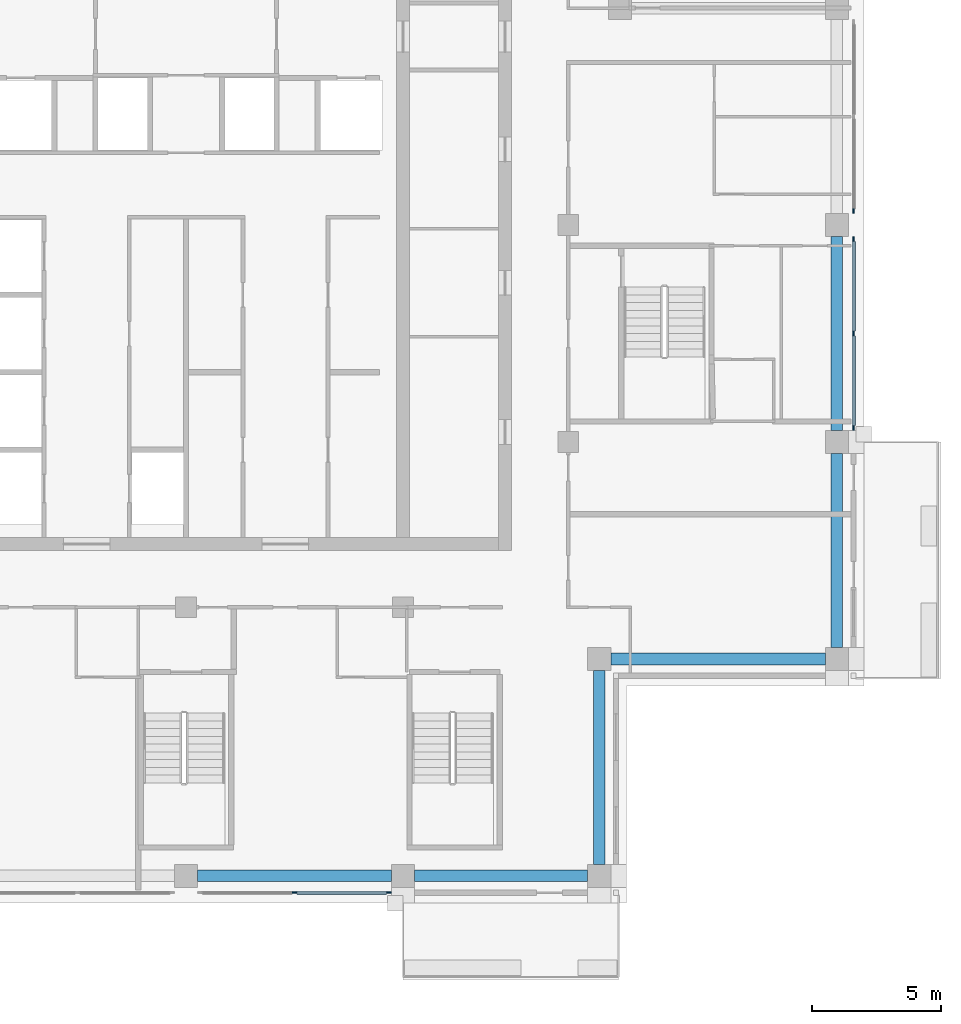
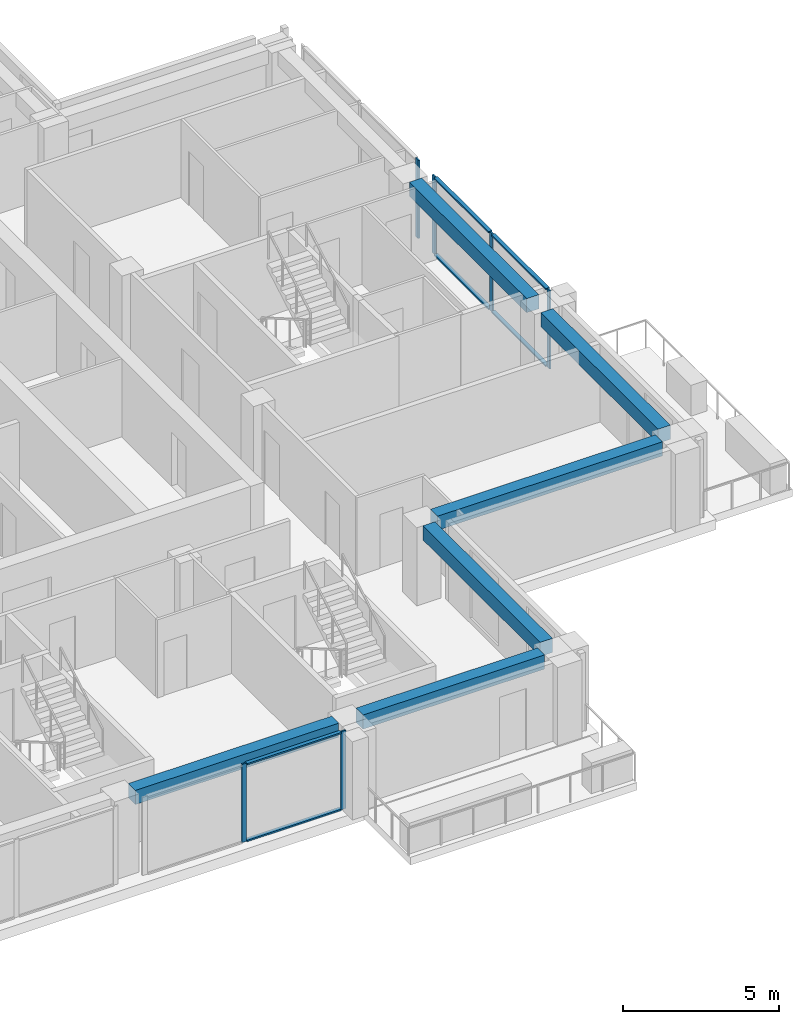
# One storey, part 4 of 18: 12 members, 6 beams, 3 elements without a shape of their own.
"""IFC4 building model written with IfcOpenShell, lengths in metres."""

from ifc_helpers import new_model, si_unit, direction, frame, origin, origin_2d, place, context, subcontext, project, spatial, rectangle, extrude, material, material_profile, profile_set, type_object, element, aggregate, save


model = new_model("IFC4")

# Units and contexts
model_context = context("Model", 3, precision=1e-05, world=origin(), true_north=direction((0.0, 1.0)))
body_context = subcontext(model_context, "Body", "Model", "MODEL_VIEW")
ifc_project = project(units=[si_unit("LENGTHUNIT", "METRE"), si_unit("AREAUNIT", "SQUARE_METRE"), si_unit("VOLUMEUNIT", "CUBIC_METRE"), si_unit("PLANEANGLEUNIT", "RADIAN"), si_unit("MASSUNIT", "GRAM", prefix="KILO")], contexts=[model_context])

# Site, building, storey
site_placement = place(None, origin())
site = spatial("IfcSite", under=ifc_project, at=site_placement, CompositionType="ELEMENT")
building_placement = place(site_placement, origin())
building = spatial("IfcBuilding", under=site, at=building_placement, Name="Vermilion Ogive Tower", CompositionType="ELEMENT")
storey_placement = place(building_placement, frame((0.0, 0.0, 230.35009765625)))
storey = spatial("IfcBuildingStorey", under=building, at=storey_placement, Name="L60", CompositionType="ELEMENT", Elevation=230.35009765625)

# Curtain wall, members
ifc_material_1 = material(Name="Low-iron laminated glazing in aluminium frame", Category="aluminium")
curtain_wall_type = type_object("IfcCurtainWallType", Name="Curtain wall CW7", PredefinedType="NOTDEFINED", material=ifc_material_1)
curtain_wall_1_placement = place(storey_placement, origin())
curtain_wall_1 = element("IfcCurtainWall", 1, at=curtain_wall_1_placement, inside=storey, type_object=curtain_wall_type, Name="Glazed skin S3", PredefinedType="NOTDEFINED")
ifc_material_2 = material(Name="Aluminium mullion", Category="aluminium")
ifc_material_profile_1 = material_profile(ifc_material_2, rectangle(XDim=0.06005859375, YDim=0.179931640625, at=origin_2d()), Name="AL 60x180")
ifc_profile_set_1 = profile_set([ifc_material_profile_1], Name="Aluminium mullion")
member_type_1 = type_object("IfcMemberType", Name="CW7 mullion 60x180", PredefinedType="MULLION", material=ifc_profile_set_1)
member_1_placement = place(storey_placement, frame((4.199951171875, -21.64990234375, 0.0), z_axis=(0.0, 0.0, 1.0), x_axis=(0.0, 1.0, 0.0)))
member_1 = element("IfcMember", 2, at=member_1_placement, type_object=member_type_1, Name="CW7-S3 mullion 2", PredefinedType="MULLION", context=body_context, shape_type="SweptSolid", body=[
    extrude(rectangle(XDim=0.06005859375, YDim=0.179931640625, at=origin_2d()), origin(), (0.0, 0.0, 1.0), 3.0498046875),
])
member_2_placement = place(storey_placement, frame((7.860107421875, -21.64990234375, 0.0), z_axis=(0.0, 0.0, 1.0), x_axis=(0.0, 1.0, 0.0)))
member_2 = element("IfcMember", 3, at=member_2_placement, type_object=member_type_1, Name="CW7-S3 mullion 3", PredefinedType="MULLION", context=body_context, shape_type="SweptSolid", body=[
    extrude(rectangle(XDim=0.06005859375, YDim=0.179931640625, at=origin_2d()), origin(), (0.0, 0.0, 1.0), 3.0498046875),
])

curtain_wall_2_placement = place(storey_placement, origin())
curtain_wall_2 = element("IfcCurtainWall", 4, at=curtain_wall_2_placement, inside=storey, type_object=curtain_wall_type, Name="Glazed skin E2", PredefinedType="NOTDEFINED")
member_3_placement = place(storey_placement, frame((25.85009765625, -3.659912109375, 0.0), z_axis=(0.0, 0.0, 1.0), x_axis=(-1.0, 0.0, 0.0)))
member_3 = element("IfcMember", 5, at=member_3_placement, type_object=member_type_1, Name="CW7-E2 mullion 1", PredefinedType="MULLION", context=body_context, shape_type="SweptSolid", body=[
    extrude(rectangle(XDim=0.06005859375, YDim=0.179931640625, at=origin_2d()), origin(), (0.0, 0.0, 1.0), 3.0498046875),
])
member_4_placement = place(storey_placement, frame((25.85009765625, 0.0, 0.0), z_axis=(0.0, 0.0, 1.0), x_axis=(-1.0, 0.0, 0.0)))
member_4 = element("IfcMember", 6, at=member_4_placement, type_object=member_type_1, Name="CW7-E2 mullion 2", PredefinedType="MULLION", context=body_context, shape_type="SweptSolid", body=[
    extrude(rectangle(XDim=0.06005859375, YDim=0.179931640625, at=origin_2d()), origin(), (0.0, 0.0, 1.0), 3.0498046875),
])
member_5_placement = place(storey_placement, frame((25.85009765625, 3.659912109375, 0.0), z_axis=(0.0, 0.0, 1.0), x_axis=(-1.0, 0.0, 0.0)))
member_5 = element("IfcMember", 7, at=member_5_placement, type_object=member_type_1, Name="CW7-E2 mullion 3", PredefinedType="MULLION", context=body_context, shape_type="SweptSolid", body=[
    extrude(rectangle(XDim=0.06005859375, YDim=0.179931640625, at=origin_2d()), origin(), (0.0, 0.0, 1.0), 3.0498046875),
])

# Curtain wall, member
curtain_wall_3_placement = place(storey_placement, origin())
curtain_wall_3 = element("IfcCurtainWall", 8, at=curtain_wall_3_placement, inside=storey, type_object=curtain_wall_type, Name="Glazed skin E3", PredefinedType="NOTDEFINED")
member_6_placement = place(storey_placement, frame((25.85009765625, 4.739990234375, 0.0), z_axis=(0.0, 0.0, 1.0), x_axis=(-1.0, 0.0, 0.0)))
member_6 = element("IfcMember", 9, at=member_6_placement, type_object=member_type_1, Name="CW7-E3 mullion 1", PredefinedType="MULLION", context=body_context, shape_type="SweptSolid", body=[
    extrude(rectangle(XDim=0.06005859375, YDim=0.179931640625, at=origin_2d()), origin(), (0.0, 0.0, 1.0), 3.0498046875),
])
aggregate(curtain_wall_3, [member_6])

# Member
ifc_material_3 = material(Name="Aluminium transom", Category="aluminium")
ifc_material_profile_2 = material_profile(ifc_material_3, rectangle(XDim=0.139892578125, YDim=0.06005859375, at=origin_2d()), Name="AL 60x140")
ifc_profile_set_2 = profile_set([ifc_material_profile_2], Name="Aluminium transom")
member_type_2 = type_object("IfcMemberType", Name="CW7 transom 60x140", PredefinedType="USERDEFINED", material=ifc_profile_set_2)
member_7_placement = place(storey_placement, frame((4.2900390625, -21.64990234375, 0.02978515625), z_axis=(1.0, 0.0, 0.0), x_axis=(0.0, 1.0, 0.0)))
member_7 = element("IfcMember", 10, at=member_7_placement, type_object=member_type_2, Name="CW7-S3 transom 2.1", ObjectType="TRANSOM", PredefinedType="USERDEFINED", context=body_context, shape_type="SweptSolid", body=[
    extrude(rectangle(XDim=0.139892578125, YDim=0.06005859375, at=origin_2d()), origin(), (0.0, 0.0, 1.0), 3.47998046875),
])

member_8_placement = place(storey_placement, frame((4.2900390625, -21.64990234375, 3.02001953125), z_axis=(1.0, 0.0, 0.0), x_axis=(0.0, 1.0, 0.0)))
member_8 = element("IfcMember", 11, at=member_8_placement, type_object=member_type_2, Name="CW7-S3 transom 2.2", ObjectType="TRANSOM", PredefinedType="USERDEFINED", context=body_context, shape_type="SweptSolid", body=[
    extrude(rectangle(XDim=0.139892578125, YDim=0.06005859375, at=origin_2d()), origin(), (0.0, 0.0, 1.0), 3.47998046875),
])

aggregate(curtain_wall_1, [member_1, member_2, member_7, member_8])

member_9_placement = place(storey_placement, frame((25.85009765625, -3.570068359375, 0.02978515625), z_axis=(0.0, 1.0, 0.0), x_axis=(-1.0, 0.0, 0.0)))
member_9 = element("IfcMember", 12, at=member_9_placement, type_object=member_type_2, Name="CW7-E2 transom 1.1", ObjectType="TRANSOM", PredefinedType="USERDEFINED", context=body_context, shape_type="SweptSolid", body=[
    extrude(rectangle(XDim=0.139892578125, YDim=0.06005859375, at=origin_2d()), origin(), (0.0, 0.0, 1.0), 3.47998046875),
])

member_10_placement = place(storey_placement, frame((25.85009765625, -3.570068359375, 3.02001953125), z_axis=(0.0, 1.0, 0.0), x_axis=(-1.0, 0.0, 0.0)))
member_10 = element("IfcMember", 13, at=member_10_placement, type_object=member_type_2, Name="CW7-E2 transom 1.2", ObjectType="TRANSOM", PredefinedType="USERDEFINED", context=body_context, shape_type="SweptSolid", body=[
    extrude(rectangle(XDim=0.139892578125, YDim=0.06005859375, at=origin_2d()), origin(), (0.0, 0.0, 1.0), 3.47998046875),
])

member_11_placement = place(storey_placement, frame((25.85009765625, 0.090087890625, 0.02978515625), z_axis=(0.0, 1.0, 0.0), x_axis=(-1.0, 0.0, 0.0)))
member_11 = element("IfcMember", 14, at=member_11_placement, type_object=member_type_2, Name="CW7-E2 transom 2.1", ObjectType="TRANSOM", PredefinedType="USERDEFINED", context=body_context, shape_type="SweptSolid", body=[
    extrude(rectangle(XDim=0.139892578125, YDim=0.06005859375, at=origin_2d()), origin(), (0.0, 0.0, 1.0), 3.47998046875),
])

member_12_placement = place(storey_placement, frame((25.85009765625, 0.090087890625, 3.02001953125), z_axis=(0.0, 1.0, 0.0), x_axis=(-1.0, 0.0, 0.0)))
member_12 = element("IfcMember", 15, at=member_12_placement, type_object=member_type_2, Name="CW7-E2 transom 2.2", ObjectType="TRANSOM", PredefinedType="USERDEFINED", context=body_context, shape_type="SweptSolid", body=[
    extrude(rectangle(XDim=0.139892578125, YDim=0.06005859375, at=origin_2d()), origin(), (0.0, 0.0, 1.0), 3.47998046875),
])

aggregate(curtain_wall_2, [member_3, member_4, member_5, member_9, member_10, member_11, member_12])

# Beams
ifc_material_4 = material(Name="Concrete B45", Category="concrete")
ifc_material_profile_3 = material_profile(ifc_material_4, rectangle(XDim=0.449951171875, YDim=0.550048828125, at=origin_2d()), Name="450 x 550")
ifc_profile_set_3 = profile_set([ifc_material_profile_3], Name="Concrete B45")
beam_type = type_object("IfcBeamType", Name="Edge beam 450 x 550 B45", PredefinedType="BEAM", material=ifc_profile_set_3)
beam_1_placement = place(storey_placement, frame((0.449951171875, -21.0, 2.77490234375), z_axis=(1.0, 0.0, 0.0), x_axis=(0.0, 1.0, 0.0)))
element("IfcBeam", 16, at=beam_1_placement, inside=storey, type_object=beam_type, Name="L60-EB-3", PredefinedType="BEAM", context=body_context, shape_type="SweptSolid", body=[
    extrude(rectangle(XDim=0.449951171875, YDim=0.550048828125, at=origin_2d()), origin(), (0.0, 0.0, 1.0), 7.5),
])
beam_2_placement = place(storey_placement, frame((8.85009765625, -21.0, 2.77490234375), z_axis=(1.0, 0.0, 0.0), x_axis=(0.0, 1.0, 0.0)))
element("IfcBeam", 17, at=beam_2_placement, inside=storey, type_object=beam_type, Name="L60-EB-4", PredefinedType="BEAM", context=body_context, shape_type="SweptSolid", body=[
    extrude(rectangle(XDim=0.449951171875, YDim=0.550048828125, at=origin_2d()), origin(), (0.0, 0.0, 1.0), 6.699951171875),
])
beam_3_placement = place(storey_placement, frame((16.0, -20.550048828125, 2.77490234375), z_axis=(0.0, 1.0, 0.0), x_axis=(-1.0, 0.0, 0.0)))
element("IfcBeam", 18, at=beam_3_placement, inside=storey, type_object=beam_type, Name="L60-EB-5", PredefinedType="BEAM", context=body_context, shape_type="SweptSolid", body=[
    extrude(rectangle(XDim=0.449951171875, YDim=0.550048828125, at=origin_2d()), origin(), (0.0, 0.0, 1.0), 7.5),
])
beam_4_placement = place(storey_placement, frame((16.449951171875, -12.60009765625, 2.77490234375), z_axis=(1.0, 0.0, 0.0), x_axis=(0.0, 1.0, 0.0)))
element("IfcBeam", 19, at=beam_4_placement, inside=storey, type_object=beam_type, Name="L60-EB-6", PredefinedType="BEAM", context=body_context, shape_type="SweptSolid", body=[
    extrude(rectangle(XDim=0.449951171875, YDim=0.550048828125, at=origin_2d()), origin(), (0.0, 0.0, 1.0), 8.300048828125),
])
for number, where, z_axis, x_axis, name in (
    (20, (25.199951171875, -12.14990234375, 2.77490234375), (0.0, 1.0, 0.0), (-1.0, 0.0, 0.0), "L60-EB-7"),
    (21, (25.199951171875, -3.75, 2.77490234375), (0.0, 1.0, 0.0), (-1.0, 0.0, 0.0), "L60-EB-8"),
):
    element("IfcBeam", number, at=place(storey_placement, frame(where, z_axis=z_axis, x_axis=x_axis)), inside=storey, type_object=beam_type, Name=name, PredefinedType="BEAM", context=body_context, shape_type="SweptSolid", body=[
        extrude(rectangle(XDim=0.449951171875, YDim=0.550048828125, at=origin_2d()), origin(), (0.0, 0.0, 1.0), 7.5),
    ])

save(model, "model.ifc")
